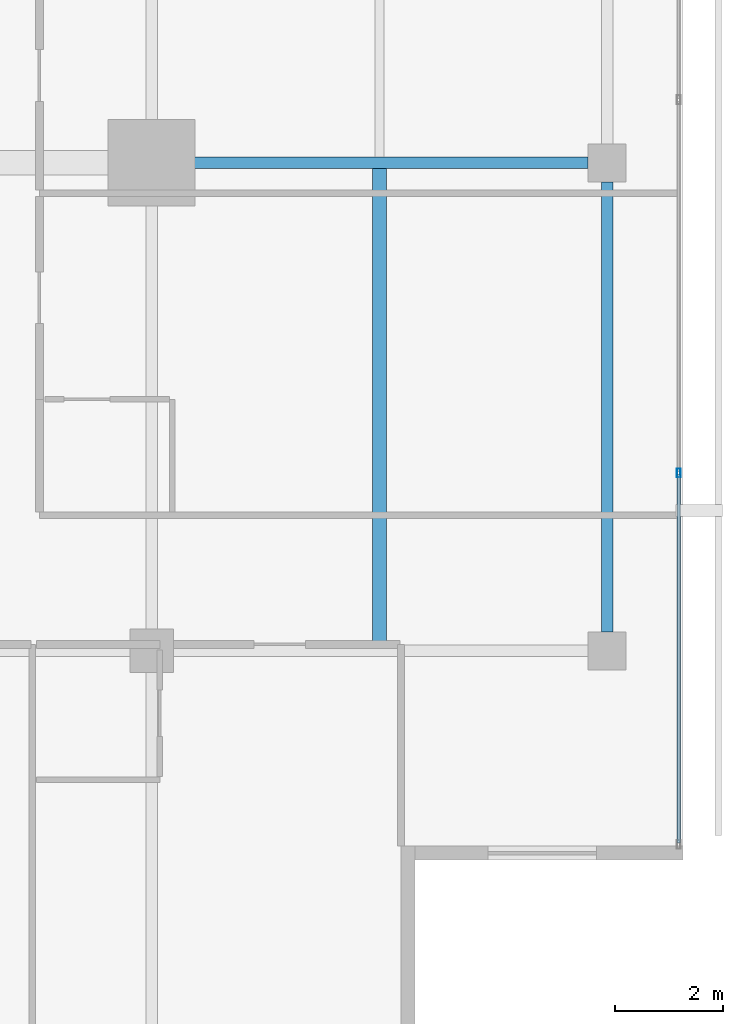
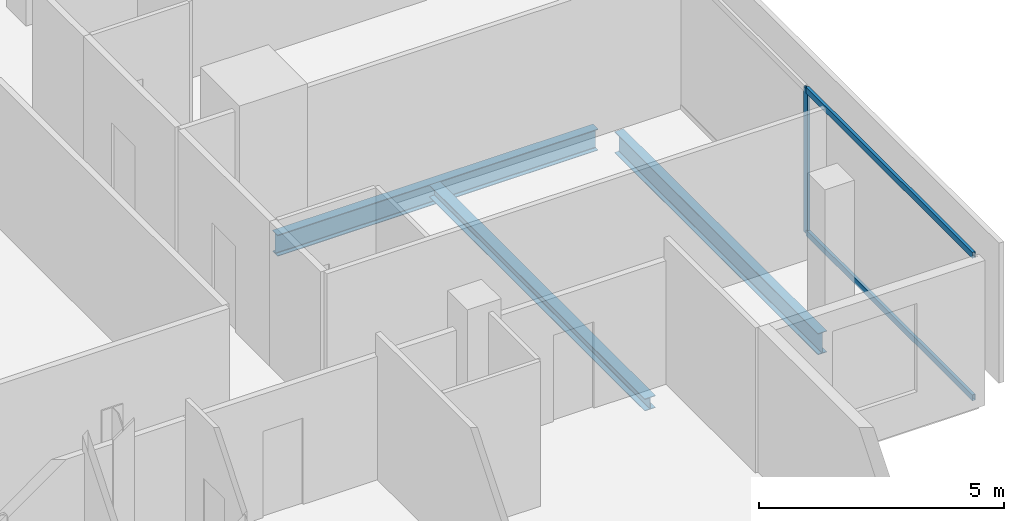
# One storey, part 12 of 25: 3 beams, 3 members, 1 element without a shape of its own.
"""IFC4 building model written with IfcOpenShell, lengths in metres."""

import ifcopenshell
import ifcopenshell.guid

model = None  # the IFC model being written
_history = None  # IfcOwnerHistory: only IFC2X3 demands one
_inside = {}  # id of a spatial element -> (the spatial element, [elements in it])
_under = {}  # id of a project, library or spatial element -> (it, [spatial elements below it])
_declared = {}  # id of a project -> (the project, [libraries it declares])
_typed = {}  # id of a type object -> (the type object, [elements of that type])
_made_of = {}  # id of a material, layer set ... -> (it, [elements and type objects made of it])


def new_model(schema):
    """Start an empty IFC model of exactly this schema.

    Asked for "IFC4X3", IfcOpenShell would pick the latest addendum, in which some entities
    have other attributes; the version numbers below select the first issue.
    IFC2X3 requires an IfcOwnerHistory on every rooted entity: one is made here for all.
    """
    global model, _history
    if schema == "IFC4X3":
        model = ifcopenshell.file(schema_version=(4, 3, 0, 0))
    else:
        model = ifcopenshell.file(schema=schema)
    _inside.clear()
    _under.clear()
    _declared.clear()
    _typed.clear()
    _made_of.clear()
    _history = None
    if model.schema == "IFC2X3":
        org = make("IfcOrganization", Name="unknown")
        user = make(
            "IfcPersonAndOrganization",
            ThePerson=make("IfcPerson", FamilyName="unknown"),
            TheOrganization=org,
        )
        app = make(
            "IfcApplication",
            ApplicationDeveloper=org,
            Version="unknown",
            ApplicationFullName="unknown",
            ApplicationIdentifier="unknown",
        )
        _history = make(
            "IfcOwnerHistory",
            OwningUser=user,
            OwningApplication=app,
            ChangeAction="ADDED",
            CreationDate=0,
        )
    return model


def make(cls, **values):
    """One entity of the class cls with the attributes given. An attribute that is None is left unset."""
    return model.create_entity(
        cls, **{name: value for name, value in values.items() if value is not None}
    )


def rooted(cls, **values):
    """An entity with a GlobalId (a new one), such as an element, a storey or a relation."""
    return make(cls, GlobalId=ifcopenshell.guid.new(), OwnerHistory=_history, **values)


def si_unit(unit_type, name, prefix=None):
    """IfcSIUnit, for example si_unit("LENGTHUNIT", "METRE", prefix="MILLI")."""
    return make("IfcSIUnit", UnitType=unit_type, Prefix=prefix, Name=name)


def assignment(units):
    """IfcUnitAssignment: the units of a project."""
    return None if units is None else make("IfcUnitAssignment", Units=units)


def point(xyz):
    """IfcCartesianPoint."""
    return None if xyz is None else make("IfcCartesianPoint", Coordinates=xyz)


def direction(xyz):
    """IfcDirection."""
    return None if xyz is None else make("IfcDirection", DirectionRatios=xyz)


def frame(location, z_axis=None, x_axis=None):
    """IfcAxis2Placement3D, a coordinate frame: its origin and axes. An axis left out is left unset."""
    return make(
        "IfcAxis2Placement3D",
        Location=point(location),
        Axis=direction(z_axis),
        RefDirection=direction(x_axis),
    )


def frame_2d(location, x_axis=None):
    """IfcAxis2Placement2D, a coordinate frame in the plane: its origin and x axis."""
    return make(
        "IfcAxis2Placement2D", Location=point(location), RefDirection=direction(x_axis)
    )


def origin():
    """The frame at (0, 0, 0) with its axes left unset."""
    return frame((0.0, 0.0, 0.0))


def origin_2d():
    """The frame at (0, 0) in the plane with its x axis left unset."""
    return frame_2d((0.0, 0.0))


def place(relative_to, where):
    """IfcLocalPlacement: puts the frame where relative to a parent placement (None: the world)."""
    return make(
        "IfcLocalPlacement", PlacementRelTo=relative_to, RelativePlacement=where
    )


def context(
    kind, dimensions, precision=None, world=None, true_north=None, identifier=None
):
    """IfcGeometricRepresentationContext, for example the 3D "Model" context."""
    return make(
        "IfcGeometricRepresentationContext",
        ContextIdentifier=identifier,
        ContextType=kind,
        CoordinateSpaceDimension=dimensions,
        Precision=precision,
        WorldCoordinateSystem=world,
        TrueNorth=true_north,
    )


def subcontext(parent, identifier, kind, view, scale=None):
    """IfcGeometricRepresentationSubContext, for example "Body" below "Model"."""
    return make(
        "IfcGeometricRepresentationSubContext",
        ContextIdentifier=identifier,
        ContextType=kind,
        ParentContext=parent,
        TargetScale=scale,
        TargetView=view,
    )


def project(units=None, contexts=None):
    """IfcProject with its units and contexts."""
    return rooted(
        "IfcProject",
        Name="project",
        RepresentationContexts=contexts,
        UnitsInContext=assignment(units),
    )


def spatial(cls, under=None, at=None, **own):
    """A site, building, storey or space (cls), placed at a placement, below another one or the project."""
    s = rooted(cls, ObjectPlacement=at, **own)
    if under is not None:
        _under.setdefault(under.id(), (under, []))[1].append(s)
    return s


def profile(cls, at=None, kind="AREA", **sizes):
    """A parametric profile (cls). Its sizes go by their IFC names, for example OverallWidth=200.0."""
    return make(cls, ProfileType=kind, Position=at, **sizes)


def hollow_rectangle(**sizes):
    """IfcRectangleHollowProfileDef."""
    return profile("IfcRectangleHollowProfileDef", **sizes)


def i_section(**sizes):
    """IfcIShapeProfileDef."""
    return profile("IfcIShapeProfileDef", **sizes)


def extrude(swept, where, along, depth):
    """IfcExtrudedAreaSolid: the profile swept, set in the frame where, extruded along a direction by depth."""
    return make(
        "IfcExtrudedAreaSolid",
        SweptArea=swept,
        Position=where,
        ExtrudedDirection=direction(along),
        Depth=depth,
    )


def shape(context_of_items, identifier, shape_type, items):
    """IfcShapeRepresentation: the items that make up one representation, for example the "Body"."""
    return make(
        "IfcShapeRepresentation",
        ContextOfItems=context_of_items,
        RepresentationIdentifier=identifier,
        RepresentationType=shape_type,
        Items=items,
    )


def material(Name=None, Category=None):
    """IfcMaterial."""
    return make("IfcMaterial", Name=Name, Category=Category)


def layer(
    of_material, thickness, ventilated=None, Name=None, Category=None, Priority=None
):
    """IfcMaterialLayer: one layer of a wall or slab, of a material (None: an air gap)."""
    return make(
        "IfcMaterialLayer",
        Material=of_material,
        LayerThickness=thickness,
        IsVentilated=ventilated,
        Name=Name,
        Category=Category,
        Priority=Priority,
    )


def layer_set(layers, Name=None):
    """IfcMaterialLayerSet."""
    return make("IfcMaterialLayerSet", MaterialLayers=layers, LayerSetName=Name)


def material_profile(
    of_material, cross_section, Name=None, Category=None, Priority=None
):
    """IfcMaterialProfile: a cross section and its material."""
    return make(
        "IfcMaterialProfile",
        Name=Name,
        Material=of_material,
        Profile=cross_section,
        Priority=Priority,
        Category=Category,
    )


def profile_set(profiles, Name=None, composite=None):
    """IfcMaterialProfileSet."""
    return make(
        "IfcMaterialProfileSet",
        Name=Name,
        MaterialProfiles=profiles,
        CompositeProfile=composite,
    )


def made_of(thing, what):
    """Note that an element or type object is made of a material, layer set ...; save() writes the relation."""
    if what is not None:
        _made_of.setdefault(what.id(), (what, []))[1].append(thing)
    return thing


def type_object(cls, material=None, **own):
    """A type object (cls), such as IfcWallType, which elements share."""
    return made_of(rooted(cls, **own), material)


def element(
    cls,
    number,
    at=None,
    inside=None,
    cuts=None,
    type_object=None,
    material=None,
    context=None,
    identifier="Body",
    shape_type=None,
    held_by="IfcProductDefinitionShape",
    body=None,
    shapes=None,
    **own,
):
    """One element of the class cls, such as IfcWall. Its Tag is "e" and its number.

    at: its placement. inside: the storey or other place that contains it. cuts: it is an
    opening in that element (IfcRelVoidsElement). A single representation is given by context,
    identifier, shape_type and body (its items); several are given by shapes. held_by: the class
    of the entity that holds the representations. save() writes the other relations.
    """
    e = rooted(cls, Tag="e%d" % number, ObjectPlacement=at, **own)
    if body is not None:
        shapes = [shape(context, identifier, shape_type, body)]
    if shapes is not None:
        e.Representation = make(held_by, Representations=shapes)
    if inside is not None:
        _inside.setdefault(inside.id(), (inside, []))[1].append(e)
    if cuts is not None:
        rooted(
            "IfcRelVoidsElement", RelatingBuildingElement=cuts, RelatedOpeningElement=e
        )
    if type_object is not None:
        _typed.setdefault(type_object.id(), (type_object, []))[1].append(e)
    return made_of(e, material)


def aggregate(whole, parts):
    """IfcRelAggregates: a whole, such as a stair, and the parts it consists of."""
    return rooted("IfcRelAggregates", RelatingObject=whole, RelatedObjects=parts)


def save(model, path):
    """Write the relations noted so far, then the file.

    IfcRelAggregates (storeys below a building ...), IfcRelContainedInSpatialStructure (elements
    in a storey), IfcRelDefinesByType, IfcRelAssociatesMaterial and IfcRelDeclares: one each for
    every whole, place, type object, material and project.
    """
    for whole, parts in _under.values():
        aggregate(whole, parts)
    for where, things in _inside.values():
        rooted(
            "IfcRelContainedInSpatialStructure",
            RelatedElements=things,
            RelatingStructure=where,
        )
    for kind, things in _typed.values():
        rooted("IfcRelDefinesByType", RelatedObjects=things, RelatingType=kind)
    for what, things in _made_of.values():
        rooted("IfcRelAssociatesMaterial", RelatedObjects=things, RelatingMaterial=what)
    for by, libraries in _declared.values():
        rooted("IfcRelDeclares", RelatingContext=by, RelatedDefinitions=libraries)
    model.write(path)


model = new_model("IFC4")

# Units and contexts
model_context = context("Model", 3, precision=1e-05, world=origin(), true_north=direction((0.0, 1.0)))
body_context = subcontext(model_context, "Body", "Model", "MODEL_VIEW")
ifc_project = project(units=[si_unit("LENGTHUNIT", "METRE"), si_unit("AREAUNIT", "SQUARE_METRE"), si_unit("VOLUMEUNIT", "CUBIC_METRE"), si_unit("PLANEANGLEUNIT", "RADIAN"), si_unit("MASSUNIT", "GRAM", prefix="KILO")], contexts=[model_context])

# Site, building, storey
site_placement = place(None, origin())
site = spatial("IfcSite", under=ifc_project, at=site_placement, CompositionType="ELEMENT")
building_placement = place(site_placement, origin())
building = spatial("IfcBuilding", under=site, at=building_placement, Name="Maruvema Waterfront Hotel and Observation Tower", CompositionType="ELEMENT")
storey_placement = place(building_placement, frame((0.0, 0.0, 270.199951171875)))
storey = spatial("IfcBuildingStorey", under=building, at=storey_placement, Name="L66", CompositionType="ELEMENT", Elevation=270.199951171875)

# Curtain wall, members
ifc_material_1 = material(Name="Anodised bronze aluminium and solar-control low-E IGU", Category="aluminium")
ifc_layer = layer(ifc_material_1, 0.159912109375, Name="Zone 3 Champagne Inner Thermal Curtain Wall System CW-04")
ifc_layer_set = layer_set([ifc_layer], Name="Anodised bronze aluminium and solar-control low-E IGU")
curtain_wall_type = type_object("IfcCurtainWallType", Name="Zone 3 Champagne Inner Thermal Curtain Wall System CW-04", PredefinedType="USERDEFINED", material=ifc_layer_set)
curtain_wall_placement = place(storey_placement, origin())
curtain_wall = element("IfcCurtainWall", 1, at=curtain_wall_placement, inside=storey, type_object=curtain_wall_type, Name="L66 Curtain Wall CW-L66-E", ObjectType="UNITISED CURTAIN WALL", PredefinedType="USERDEFINED")
ifc_material_2 = material(Name="Anodised architectural bronze aluminium", Category="aluminium")
ifc_material_profile_1 = material_profile(ifc_material_2, hollow_rectangle(XDim=0.070068359375, YDim=0.14990234375, WallThickness=0.00390625, at=origin_2d()), Name="ALU-T70x150")
ifc_profile_set_1 = profile_set([ifc_material_profile_1], Name="Anodised architectural bronze aluminium")
member_type_1 = type_object("IfcMemberType", Name="Curtain Wall Horizontal Transom ALU-T70x150", PredefinedType="USERDEFINED", material=ifc_profile_set_1)
member_1_placement = place(storey_placement, frame((60.1201171875, 14.4599609375, 0.030029296875), z_axis=(0.0, 1.0, 0.0), x_axis=(-1.0, 0.0, 0.0)))
member_1 = element("IfcMember", 2, at=member_1_placement, type_object=member_type_1, Name="CW-04 transom 1.1", ObjectType="TRANSOM", PredefinedType="USERDEFINED", context=body_context, shape_type="SweptSolid", body=[
    extrude(hollow_rectangle(XDim=0.070068359375, YDim=0.14990234375, WallThickness=0.00390625, at=origin_2d()), origin(), (0.0, 0.0, 1.0), 6.7900390625),
])
member_2_placement = place(storey_placement, frame((60.1201171875, 14.4599609375, 3.580078125), z_axis=(0.0, 1.0, 0.0), x_axis=(-1.0, 0.0, 0.0)))
member_2 = element("IfcMember", 3, at=member_2_placement, type_object=member_type_1, Name="CW-04 transom 1.2", ObjectType="TRANSOM", PredefinedType="USERDEFINED", context=body_context, shape_type="SweptSolid", body=[
    extrude(hollow_rectangle(XDim=0.070068359375, YDim=0.14990234375, WallThickness=0.00390625, at=origin_2d()), origin(), (0.0, 0.0, 1.0), 6.7900390625),
])
ifc_material_3 = material(Name="Anodised architectural bronze aluminium", Category="aluminium")
ifc_material_profile_2 = material_profile(ifc_material_3, hollow_rectangle(XDim=0.06494140625, YDim=0.1650390625, WallThickness=0.00390625, at=origin_2d()), Name="ALU-M65x165")
ifc_profile_set_2 = profile_set([ifc_material_profile_2], Name="Anodised architectural bronze aluminium")
member_type_2 = type_object("IfcMemberType", Name="Curtain Wall Primary Mullion ALU-M65x165", PredefinedType="MULLION", material=ifc_profile_set_2)
member_3_placement = place(storey_placement, frame((60.1201171875, 21.280029296875, 0.0), z_axis=(0.0, 0.0, 1.0), x_axis=(-1.0, 0.0, 0.0)))
member_3 = element("IfcMember", 4, at=member_3_placement, type_object=member_type_2, Name="CW-04 mullion 2", PredefinedType="MULLION", context=body_context, shape_type="SweptSolid", body=[
    extrude(hollow_rectangle(XDim=0.06494140625, YDim=0.1650390625, WallThickness=0.00390625, at=origin_2d()), origin(), (0.0, 0.0, 1.0), 3.610107421875),
])
aggregate(curtain_wall, [member_3, member_1, member_2])

# Beams
ifc_material_4 = material(Name="Steel ASTM A572 Grade 50", Category="steel")
ifc_material_profile_3 = material_profile(ifc_material_4, i_section(OverallWidth=0.208984375, OverallDepth=0.532958984375, WebThickness=0.01025390625, FlangeThickness=0.015625, FilletRadius=0.014892578125, at=origin_2d()), Name="W530x92.0")
ifc_profile_set_3 = profile_set([ifc_material_profile_3], Name="Steel ASTM A572 Grade 50")
beam_type_1 = type_object("IfcBeamType", Name="Primary Floor Girder W530x92.0", PredefinedType="BEAM", material=ifc_profile_set_3)
beam_1_placement = place(storey_placement, frame((50.89990234375, 27.0, -0.50634765625), z_axis=(1.0, 0.0, 0.0), x_axis=(0.0, 1.0, 0.0)))
element("IfcBeam", 5, at=beam_1_placement, inside=storey, type_object=beam_type_1, Name="L66 Floor Girder EW-11", PredefinedType="BEAM", context=body_context, shape_type="SweptSolid", body=[
    extrude(i_section(OverallWidth=0.208984375, OverallDepth=0.532958984375, WebThickness=0.01025390625, FlangeThickness=0.015625, FilletRadius=0.014892578125, at=origin_2d()), origin(), (0.0, 0.0, 1.0), 7.550048828125),
])
beam_2_placement = place(storey_placement, frame((58.800048828125, 18.35009765625, -0.50634765625), z_axis=(0.0, 1.0, 0.0), x_axis=(-1.0, 0.0, 0.0)))
element("IfcBeam", 6, at=beam_2_placement, inside=storey, type_object=beam_type_1, Name="L66 Floor Girder NS-16", PredefinedType="BEAM", context=body_context, shape_type="SweptSolid", body=[
    extrude(i_section(OverallWidth=0.208984375, OverallDepth=0.532958984375, WebThickness=0.01025390625, FlangeThickness=0.015625, FilletRadius=0.014892578125, at=origin_2d()), origin(), (0.0, 0.0, 1.0), 8.2998046875),
])
ifc_material_5 = material(Name="Steel ASTM A572 Grade 50", Category="steel")
ifc_material_profile_4 = material_profile(ifc_material_5, i_section(OverallWidth=0.25390625, OverallDepth=0.305908203125, WebThickness=0.0087890625, FlangeThickness=0.0146484375, FilletRadius=0.014892578125, at=origin_2d()), Name="W310x79.0")
ifc_profile_set_4 = profile_set([ifc_material_profile_4], Name="Steel ASTM A572 Grade 50")
beam_type_2 = type_object("IfcBeamType", Name="Secondary Floor Joist W310x79.0", PredefinedType="JOIST", material=ifc_profile_set_4)
beam_3_placement = place(storey_placement, frame((54.60009765625, 18.1044921875, -0.39306640625), z_axis=(0.0, 1.0, 0.0), x_axis=(-1.0, 0.0, 0.0)))
element("IfcBeam", 7, at=beam_3_placement, inside=storey, type_object=beam_type_2, Name="L66 Secondary Floor Joist JS-07", PredefinedType="JOIST", context=body_context, shape_type="SweptSolid", body=[
    extrude(i_section(OverallWidth=0.25390625, OverallDepth=0.305908203125, WebThickness=0.0087890625, FlangeThickness=0.0146484375, FilletRadius=0.014892578125, at=origin_2d()), origin(), (0.0, 0.0, 1.0), 8.791015625),
])

save(model, "model.ifc")
